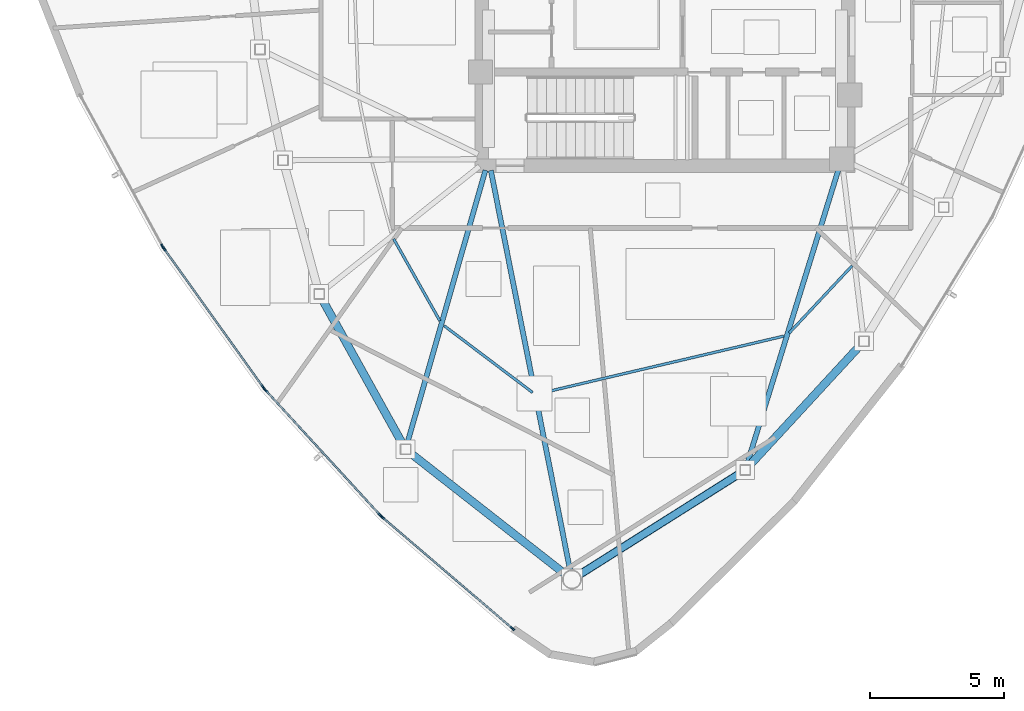
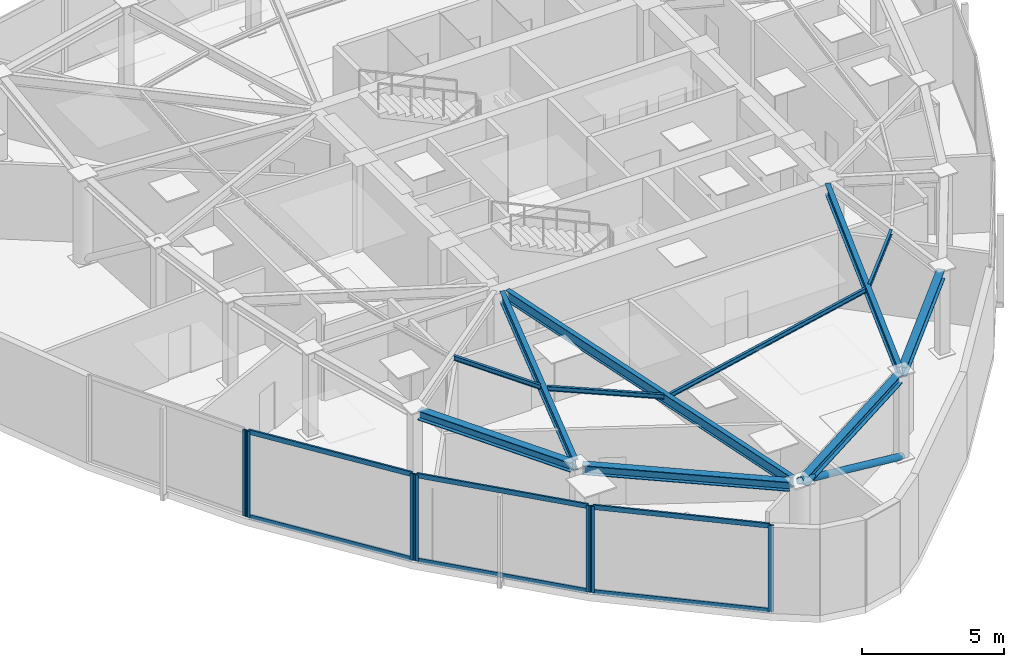
# One storey, part 2 of 13: 14 members, 11 beams, 4 elements without a shape of their own.
"""IFC4 building model written with IfcOpenShell, lengths in metres."""

from ifc_helpers import new_model, si_unit, direction, frame, origin, origin_2d, place, context, subcontext, project, spatial, hollow_rectangle, hollow_circle, i_section, extrude, source, transform, mapped, material, layer, layer_set, material_profile, profile_set, type_object, type_shapes, element, aggregate, save


model = new_model("IFC4")

# Units and contexts
model_context = context("Model", 3, precision=1e-05, world=origin(), true_north=direction((0.0, 1.0)))
body_context = subcontext(model_context, "Body", "Model", "MODEL_VIEW")
ifc_project = project(units=[si_unit("LENGTHUNIT", "METRE"), si_unit("AREAUNIT", "SQUARE_METRE"), si_unit("VOLUMEUNIT", "CUBIC_METRE"), si_unit("PLANEANGLEUNIT", "RADIAN"), si_unit("MASSUNIT", "GRAM", prefix="KILO")], contexts=[model_context])

# Site, building, storey
site_placement = place(None, origin())
site = spatial("IfcSite", under=ifc_project, at=site_placement, CompositionType="ELEMENT")
building_placement = place(site_placement, origin())
building = spatial("IfcBuilding", under=site, at=building_placement, Name="Tavelor Broadcast Tower", CompositionType="ELEMENT")
storey_placement = place(building_placement, frame((0.0, 0.0, 305.5)))
storey = spatial("IfcBuildingStorey", under=building, at=storey_placement, Name="L73", CompositionType="ELEMENT", Elevation=305.5)

# Beams
ifc_material_1 = material(Name="Steel S355", Category="steel")
ifc_material_profile_1 = material_profile(ifc_material_1, i_section(OverallWidth=0.10009765625, OverallDepth=0.199951171875, WebThickness=0.005615234375, FlangeThickness=0.008544921875, at=origin_2d()), Name="IPE 200")
ifc_profile_set_1 = profile_set([ifc_material_profile_1], Name="Steel S355")
beam_type_1 = type_object("IfcBeamType", Name="Composite Floor Joist T8 IPE 200", PredefinedType="JOIST", material=ifc_profile_set_1)
beam_1_placement = place(storey_placement, frame((39.850341796875, 35.818115234375, 3.60009765625), z_axis=(0.491325237054, -0.870976183046, 0.0), x_axis=(0.870976183046, 0.491325237054, 0.0)))
element("IfcBeam", 1, at=beam_1_placement, inside=storey, type_object=beam_type_1, Name="L73 Secondary Composite Floor Joist 05", PredefinedType="JOIST", context=body_context, shape_type="SweptSolid", body=[
    extrude(i_section(OverallWidth=0.10009765625, OverallDepth=0.199951171875, WebThickness=0.005615234375, FlangeThickness=0.008544921875, at=origin_2d()), origin(), (0.0, 0.0, 1.0), 3.517578125),
])
beam_2_placement = place(storey_placement, frame((41.738037109375, 32.572021484375, 3.60009765625), z_axis=(0.798228709669, -0.602354486213, 0.0), x_axis=(0.602354486213, 0.798228709669, 0.0)))
element("IfcBeam", 2, at=beam_2_placement, inside=storey, type_object=beam_type_1, Name="L73 Secondary Composite Floor Joist 06", PredefinedType="JOIST", context=body_context, shape_type="SweptSolid", body=[
    extrude(i_section(OverallWidth=0.10009765625, OverallDepth=0.199951171875, WebThickness=0.005615234375, FlangeThickness=0.008544921875, at=origin_2d()), origin(), (0.0, 0.0, 1.0), 4.14306640625),
])
beam_3_placement = place(storey_placement, frame((45.264404296875, 30.0302734375, 3.60009765625), z_axis=(0.973517343803, 0.2286131696, 0.0), x_axis=(-0.2286131696, 0.973517343803, 0.0)))
element("IfcBeam", 3, at=beam_3_placement, inside=storey, type_object=beam_type_1, Name="L73 Secondary Composite Floor Joist 07", PredefinedType="JOIST", context=body_context, shape_type="SweptSolid", body=[
    extrude(i_section(OverallWidth=0.10009765625, OverallDepth=0.199951171875, WebThickness=0.005615234375, FlangeThickness=0.008544921875, at=origin_2d()), origin(), (0.0, 0.0, 1.0), 9.420166015625),
])
beam_4_placement = place(storey_placement, frame((54.64013671875, 32.302490234375, 3.60009765625), z_axis=(0.683232798119, 0.730200618717, 0.0), x_axis=(-0.730200618717, 0.683232798119, 0.0)))
element("IfcBeam", 4, at=beam_4_placement, inside=storey, type_object=beam_type_1, Name="L73 Secondary Composite Floor Joist 08", PredefinedType="JOIST", context=body_context, shape_type="SweptSolid", body=[
    extrude(i_section(OverallWidth=0.10009765625, OverallDepth=0.199951171875, WebThickness=0.005615234375, FlangeThickness=0.008544921875, at=origin_2d()), origin(), (0.0, 0.0, 1.0), 3.441162109375),
])
ifc_material_profile_2 = material_profile(ifc_material_1, i_section(OverallWidth=0.300048828125, OverallDepth=0.39990234375, WebThickness=0.013427734375, FlangeThickness=0.02392578125, at=origin_2d()), Name="HEB 400")
ifc_profile_set_2 = profile_set([ifc_material_profile_2], Name="Steel S355")
beam_type_2 = type_object("IfcBeamType", Name="Perimeter Spandrel Beam T8 HEB 400", PredefinedType="SPANDREL", material=ifc_profile_set_2)
beam_5_placement = place(storey_placement, frame((37.161376953125, 33.591796875, 3.5), z_axis=(0.485960824991, -0.87398059279, 0.0), x_axis=(0.87398059279, 0.485960824991, 0.0)))
element("IfcBeam", 5, at=beam_5_placement, inside=storey, type_object=beam_type_2, Name="L73 Framed-Tube Ring Spandrel 05", PredefinedType="SPANDREL", context=body_context, shape_type="SweptSolid", body=[
    extrude(i_section(OverallWidth=0.300048828125, OverallDepth=0.39990234375, WebThickness=0.013427734375, FlangeThickness=0.02392578125, at=origin_2d()), origin(), (0.0, 0.0, 1.0), 6.25927734375),
])
beam_6_placement = place(storey_placement, frame((40.44775390625, 27.835205078125, 3.5), z_axis=(0.787507799936, -0.616304685233, 0.0), x_axis=(0.616304685233, 0.787507799936, 0.0)))
element("IfcBeam", 6, at=beam_6_placement, inside=storey, type_object=beam_type_2, Name="L73 Framed-Tube Ring Spandrel 06", PredefinedType="SPANDREL", context=body_context, shape_type="SweptSolid", body=[
    extrude(i_section(OverallWidth=0.300048828125, OverallDepth=0.39990234375, WebThickness=0.013427734375, FlangeThickness=0.02392578125, at=origin_2d()), origin(), (0.0, 0.0, 1.0), 7.362548828125),
])
beam_7_placement = place(storey_placement, frame((46.80322265625, 23.26953125, 3.5), z_axis=(0.845619104197, 0.533786783855, 0.0), x_axis=(-0.533786783855, 0.845619104197, 0.0)))
element("IfcBeam", 7, at=beam_7_placement, inside=storey, type_object=beam_type_2, Name="L73 Framed-Tube Ring Spandrel 07", PredefinedType="SPANDREL", context=body_context, shape_type="SweptSolid", body=[
    extrude(i_section(OverallWidth=0.300048828125, OverallDepth=0.39990234375, WebThickness=0.013427734375, FlangeThickness=0.02392578125, at=origin_2d()), origin(), (0.0, 0.0, 1.0), 7.127685546875),
])
beam_8_placement = place(storey_placement, frame((53.123046875, 27.318115234375, 3.5), z_axis=(0.677791441508, 0.735254215778, 0.0), x_axis=(-0.735254215778, 0.677791441508, 0.0)))
element("IfcBeam", 8, at=beam_8_placement, inside=storey, type_object=beam_type_2, Name="L73 Framed-Tube Ring Spandrel 08", PredefinedType="SPANDREL", context=body_context, shape_type="SweptSolid", body=[
    extrude(i_section(OverallWidth=0.300048828125, OverallDepth=0.39990234375, WebThickness=0.013427734375, FlangeThickness=0.02392578125, at=origin_2d()), origin(), (0.0, 0.0, 1.0), 6.164794921875),
])

# Member
ifc_material_profile_3 = material_profile(ifc_material_1, hollow_circle(Radius=0.136474609375, WallThickness=0.012451171875, at=origin_2d()), Name="CHS 273x12.5")
ifc_profile_set_3 = profile_set([ifc_material_profile_3], Name="Steel S355")
member_type_1 = type_object("IfcMemberType", Name="Perimeter Tube Brace T8 CHS 273x12.5", PredefinedType="BRACE", material=ifc_profile_set_3)
member_1_placement = place(storey_placement, frame((52.992919921875, 27.1767578125, 0.0), z_axis=(-0.761462376336, -0.480666847696, 0.434895885184), x_axis=(0.533789146824, -0.845617612596, 0.0)))
element("IfcMember", 9, at=member_1_placement, inside=storey, type_object=member_type_1, Name="L73 Corner Tube Diagonal Brace 2", PredefinedType="BRACE", context=body_context, shape_type="SweptSolid", body=[
    extrude(hollow_circle(Radius=0.136474609375, WallThickness=0.012451171875, at=origin_2d()), origin(), (0.0, 0.0, 1.0), 8.507568359375),
])

# Beams
ifc_material_profile_4 = material_profile(ifc_material_1, i_section(OverallWidth=0.18994140625, OverallDepth=0.449951171875, WebThickness=0.009521484375, FlangeThickness=0.0146484375, at=origin_2d()), Name="IPE 450")
ifc_profile_set_4 = profile_set([ifc_material_profile_4], Name="Steel S355")
beam_type_3 = type_object("IfcBeamType", Name="Radial Floor Girder T8 IPE 450", PredefinedType="BEAM", material=ifc_profile_set_4)
beam_9_placement = place(storey_placement, frame((43.28125, 38.384765625, 3.47509765625), z_axis=(-0.275093242186, -0.961417551381, 0.0), x_axis=(0.961417551381, -0.275093242186, 0.0)))
element("IfcBeam", 10, at=beam_9_placement, inside=storey, type_object=beam_type_3, Name="L73 Radial Primary Floor Girder 06", PredefinedType="BEAM", context=body_context, shape_type="SweptSolid", body=[
    extrude(i_section(OverallWidth=0.18994140625, OverallDepth=0.449951171875, WebThickness=0.009521484375, FlangeThickness=0.0146484375, at=origin_2d()), origin(), (0.0, 0.0, 1.0), 10.65771484375),
])
beam_10_placement = place(storey_placement, frame((43.48388671875, 38.376220703125, 3.47509765625), z_axis=(0.194446659361, -0.980913093328, 0.0), x_axis=(0.980913093328, 0.194446659361, 0.0)))
element("IfcBeam", 11, at=beam_10_placement, inside=storey, type_object=beam_type_3, Name="L73 Radial Primary Floor Girder 07", PredefinedType="BEAM", context=body_context, shape_type="SweptSolid", body=[
    extrude(i_section(OverallWidth=0.18994140625, OverallDepth=0.449951171875, WebThickness=0.009521484375, FlangeThickness=0.0146484375, at=origin_2d()), origin(), (0.0, 0.0, 1.0), 15.2451171875),
])
beam_11_placement = place(storey_placement, frame((56.471923828125, 38.387451171875, 3.47509765625), z_axis=(-0.296386578424, -0.955068058376, 0.0), x_axis=(0.955068058376, -0.296386578424, 0.0)))
element("IfcBeam", 12, at=beam_11_placement, inside=storey, type_object=beam_type_3, Name="L73 Radial Primary Floor Girder 08", PredefinedType="BEAM", context=body_context, shape_type="SweptSolid", body=[
    extrude(i_section(OverallWidth=0.18994140625, OverallDepth=0.449951171875, WebThickness=0.009521484375, FlangeThickness=0.0146484375, at=origin_2d()), origin(), (0.0, 0.0, 1.0), 11.546142578125),
])

# Curtain wall, member
ifc_material_2 = material(Name="Architectural Anodized Aluminium", Category="aluminium")
ifc_layer = layer(ifc_material_2, 0.199951171875)
ifc_layer_set = layer_set([ifc_layer], Name="Architectural Anodized Aluminium")
curtain_wall_type = type_object("IfcCurtainWallType", Name="Tower High-Zone Triple-Glazed Curtain Wall CW04", PredefinedType="NOTDEFINED", material=ifc_layer_set)
curtain_wall_1_placement = place(storey_placement, origin())
curtain_wall_1 = element("IfcCurtainWall", 13, at=curtain_wall_1_placement, inside=storey, type_object=curtain_wall_type, Name="L73 Curtain Wall CW04 Run 805", PredefinedType="NOTDEFINED")
ifc_material_profile_5 = material_profile(ifc_material_2, hollow_rectangle(XDim=0.070068359375, YDim=0.199951171875, WallThickness=0.02197265625, at=origin_2d()), Name="RHS 70x200x22")
ifc_profile_set_5 = profile_set([ifc_material_profile_5], Name="Architectural Anodized Aluminium")
member_type_2 = type_object("IfcMemberType", Name="CW04 Extruded Aluminium Mullion 70x200", PredefinedType="MULLION", material=ifc_profile_set_5)
shared_shape_1 = source(origin(), body_context, "Body", "SweptSolid", [
    extrude(hollow_rectangle(XDim=0.070068359375, YDim=0.199951171875, WallThickness=0.02197265625, at=origin_2d()), origin(), (0.0, 0.0, 1.0), 3.699951171875),
])
type_shapes(member_type_2, [shared_shape_1])
member_2_placement = place(storey_placement, frame((31.216064453125, 35.5341796875, 0.0), z_axis=(0.0, 0.0, 1.0), x_axis=(0.877785603762, 0.479053685747, 0.0)))
member_2 = element("IfcMember", 14, at=member_2_placement, type_object=member_type_2, Name="CW04 mullion 2", PredefinedType="MULLION", context=body_context, shape_type="MappedRepresentation", body=[
    mapped(shared_shape_1, transform((0.0, 0.0, 0.0), scale=1.0)),
])
aggregate(curtain_wall_1, [member_2])

# Curtain wall, members
curtain_wall_2_placement = place(storey_placement, origin())
curtain_wall_2 = element("IfcCurtainWall", 15, at=curtain_wall_2_placement, inside=storey, type_object=curtain_wall_type, Name="L73 Curtain Wall CW04 Run 806", PredefinedType="NOTDEFINED")
member_3_placement = place(storey_placement, frame((31.26904296875, 35.449462890625, 0.0), z_axis=(0.0, 0.0, 1.0), x_axis=(0.813341517693, 0.581786537828, 0.0)))
member_3 = element("IfcMember", 16, at=member_3_placement, type_object=member_type_2, Name="CW04 mullion 1", PredefinedType="MULLION", context=body_context, shape_type="MappedRepresentation", body=[
    mapped(shared_shape_1, transform((0.0, 0.0, 0.0), scale=1.0)),
])
member_4_placement = place(storey_placement, frame((34.981201171875, 30.26025390625, 0.0), z_axis=(0.0, 0.0, 1.0), x_axis=(0.813341517693, 0.581786537828, 0.0)))
member_4 = element("IfcMember", 17, at=member_4_placement, type_object=member_type_2, Name="CW04 mullion 2", PredefinedType="MULLION", context=body_context, shape_type="MappedRepresentation", body=[
    mapped(shared_shape_1, transform((0.0, 0.0, 0.0), scale=1.0)),
])

curtain_wall_3_placement = place(storey_placement, origin())
curtain_wall_3 = element("IfcCurtainWall", 18, at=curtain_wall_3_placement, inside=storey, type_object=curtain_wall_type, Name="L73 Curtain Wall CW04 Run 807", PredefinedType="NOTDEFINED")
member_5_placement = place(storey_placement, frame((35.0439453125, 30.1826171875, 0.0), z_axis=(0.0, 0.0, 1.0), x_axis=(0.736981005431, 0.675913454248, 0.0)))
member_5 = element("IfcMember", 19, at=member_5_placement, type_object=member_type_2, Name="CW04 mullion 1", PredefinedType="MULLION", context=body_context, shape_type="MappedRepresentation", body=[
    mapped(shared_shape_1, transform((0.0, 0.0, 0.0), scale=1.0)),
])
member_6_placement = place(storey_placement, frame((39.3564453125, 25.48046875, 0.0), z_axis=(0.0, 0.0, 1.0), x_axis=(0.736981005431, 0.675913454248, 0.0)))
member_6 = element("IfcMember", 20, at=member_6_placement, type_object=member_type_2, Name="CW04 mullion 2", PredefinedType="MULLION", context=body_context, shape_type="MappedRepresentation", body=[
    mapped(shared_shape_1, transform((0.0, 0.0, 0.0), scale=1.0)),
])

curtain_wall_4_placement = place(storey_placement, origin())
curtain_wall_4 = element("IfcCurtainWall", 21, at=curtain_wall_4_placement, inside=storey, type_object=curtain_wall_type, Name="L73 Curtain Wall CW04 Run 808", PredefinedType="NOTDEFINED")
member_7_placement = place(storey_placement, frame((39.42822265625, 25.4111328125, 0.0), z_axis=(0.0, 0.0, 1.0), x_axis=(0.649755351625, 0.760143396363, 0.0)))
member_7 = element("IfcMember", 22, at=member_7_placement, type_object=member_type_2, Name="CW04 mullion 1", PredefinedType="MULLION", context=body_context, shape_type="MappedRepresentation", body=[
    mapped(shared_shape_1, transform((0.0, 0.0, 0.0), scale=1.0)),
])
member_8_placement = place(storey_placement, frame((44.290283203125, 21.255126953125, 0.0), z_axis=(0.0, 0.0, 1.0), x_axis=(0.649755351625, 0.760143396363, 0.0)))
member_8 = element("IfcMember", 23, at=member_8_placement, type_object=member_type_2, Name="CW04 mullion 2", PredefinedType="MULLION", context=body_context, shape_type="MappedRepresentation", body=[
    mapped(shared_shape_1, transform((0.0, 0.0, 0.0), scale=1.0)),
])

# Member
ifc_material_profile_6 = material_profile(ifc_material_2, hollow_rectangle(XDim=0.070068359375, YDim=0.199951171875, WallThickness=0.02197265625, at=origin_2d()), Name="RHS 70x200x22")
ifc_profile_set_6 = profile_set([ifc_material_profile_6], Name="Architectural Anodized Aluminium")
member_type_3 = type_object("IfcMemberType", Name="CW04 Extruded Aluminium Transom 70x200", PredefinedType="USERDEFINED", material=ifc_profile_set_6)
shared_shape_2 = source(origin(), body_context, "Body", "SweptSolid", [
    extrude(hollow_rectangle(XDim=0.070068359375, YDim=0.199951171875, WallThickness=0.02197265625, at=origin_2d()), origin(), (0.0, 0.0, 1.0), 6.310302734375),
])
member_9_placement = place(storey_placement, frame((31.28955078125, 35.421142578125, 0.034912109375), z_axis=(0.581765077459, -0.813356867954, 0.0), x_axis=(0.813356867954, 0.581765077459, 0.0)))
member_9 = element("IfcMember", 24, at=member_9_placement, type_object=member_type_3, Name="CW04 transom 1.1", ObjectType="TRANSOM", PredefinedType="USERDEFINED", context=body_context, shape_type="MappedRepresentation", body=[
    mapped(shared_shape_2, transform((0.0, 0.0, 0.0), scale=1.0)),
])

member_10_placement = place(storey_placement, frame((31.28955078125, 35.421142578125, 3.6650390625), z_axis=(0.581765077459, -0.813356867954, 0.0), x_axis=(0.813356867954, 0.581765077459, 0.0)))
member_10 = element("IfcMember", 25, at=member_10_placement, type_object=member_type_3, Name="CW04 transom 1.2", ObjectType="TRANSOM", PredefinedType="USERDEFINED", context=body_context, shape_type="MappedRepresentation", body=[
    mapped(shared_shape_2, transform((0.0, 0.0, 0.0), scale=1.0)),
])

aggregate(curtain_wall_2, [member_3, member_4, member_9, member_10])

member_11_placement = place(storey_placement, frame((35.067626953125, 30.15673828125, 0.034912109375), z_axis=(0.675941843591, -0.736954967473, 0.0), x_axis=(0.736954967473, 0.675941843591, 0.0)))
member_11 = element("IfcMember", 26, at=member_11_placement, type_object=member_type_3, Name="CW04 transom 1.1", ObjectType="TRANSOM", PredefinedType="USERDEFINED", context=body_context, shape_type="MappedRepresentation", body=[
    mapped(shared_shape_2, transform((0.0, 0.0, 0.0), scale=1.0)),
])

member_12_placement = place(storey_placement, frame((35.067626953125, 30.15673828125, 3.6650390625), z_axis=(0.675941843591, -0.736954967473, 0.0), x_axis=(0.736954967473, 0.675941843591, 0.0)))
member_12 = element("IfcMember", 27, at=member_12_placement, type_object=member_type_3, Name="CW04 transom 1.2", ObjectType="TRANSOM", PredefinedType="USERDEFINED", context=body_context, shape_type="MappedRepresentation", body=[
    mapped(shared_shape_2, transform((0.0, 0.0, 0.0), scale=1.0)),
])

aggregate(curtain_wall_3, [member_5, member_6, member_11, member_12])

shared_shape_3 = source(origin(), body_context, "Body", "SweptSolid", [
    extrude(hollow_rectangle(XDim=0.070068359375, YDim=0.199951171875, WallThickness=0.02197265625, at=origin_2d()), origin(), (0.0, 0.0, 1.0), 6.326171875),
])
type_shapes(member_type_3, [shared_shape_2, shared_shape_3])
member_13_placement = place(storey_placement, frame((39.454833984375, 25.388427734375, 0.034912109375), z_axis=(0.76013579348, -0.649764246069, 0.0), x_axis=(0.649764246069, 0.76013579348, 0.0)))
member_13 = element("IfcMember", 28, at=member_13_placement, type_object=member_type_3, Name="CW04 transom 1.1", ObjectType="TRANSOM", PredefinedType="USERDEFINED", context=body_context, shape_type="MappedRepresentation", body=[
    mapped(shared_shape_3, transform((0.0, 0.0, 0.0), scale=1.0)),
])

member_14_placement = place(storey_placement, frame((39.454833984375, 25.388427734375, 3.6650390625), z_axis=(0.76013579348, -0.649764246069, 0.0), x_axis=(0.649764246069, 0.76013579348, 0.0)))
member_14 = element("IfcMember", 29, at=member_14_placement, type_object=member_type_3, Name="CW04 transom 1.2", ObjectType="TRANSOM", PredefinedType="USERDEFINED", context=body_context, shape_type="MappedRepresentation", body=[
    mapped(shared_shape_3, transform((0.0, 0.0, 0.0), scale=1.0)),
])

aggregate(curtain_wall_4, [member_7, member_8, member_13, member_14])

save(model, "model.ifc")
